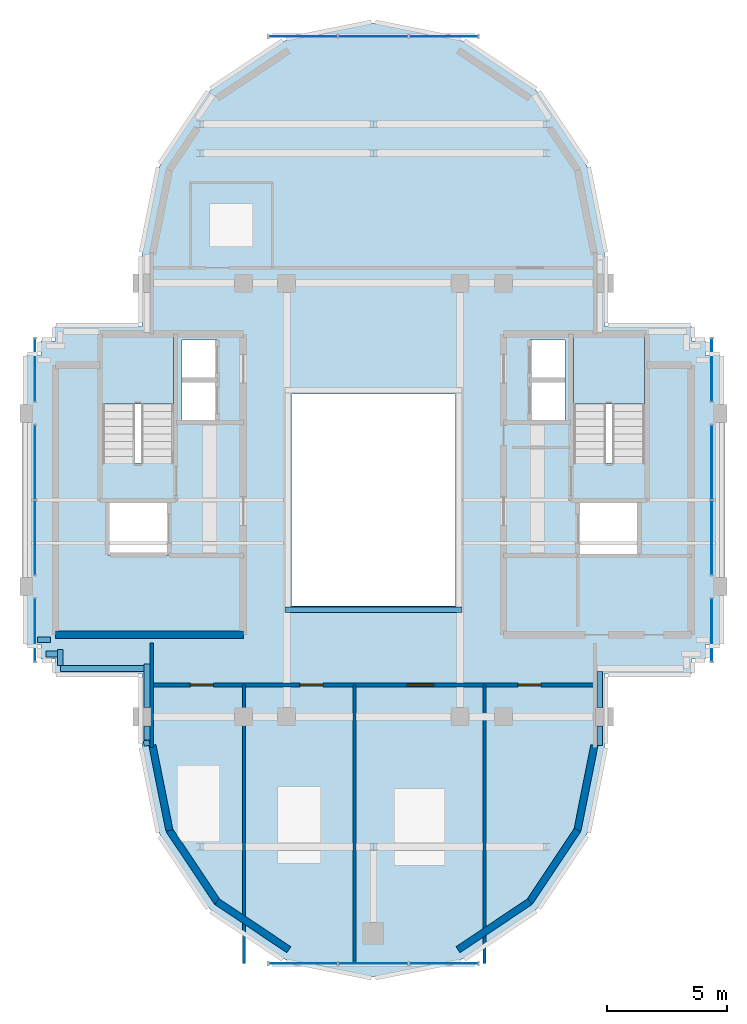
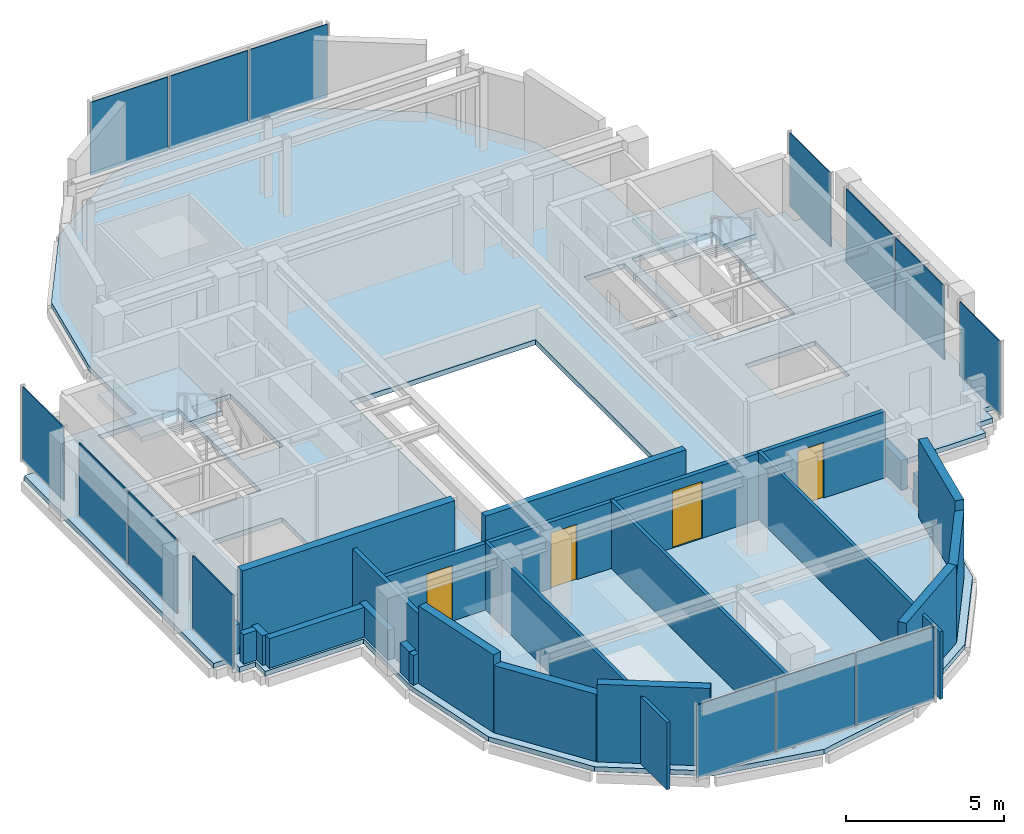
# One storey, part 6 of 10: 22 walls, 14 plates, 4 doors, 3 slabs, 4 openings, 10 elements without a shape of their own.
"""IFC4 building model written with IfcOpenShell, lengths in metres."""

from ifc_helpers import new_model, si_unit, direction, frame, frame_2d, origin, origin_2d, place, context, subcontext, project, spatial, polyline, rectangle, outline, extrude, source, transform, mapped, material, layer, layer_set, type_object, element, fill, aggregate, save


model = new_model("IFC4")

# Units and contexts
model_context = context("Model", 3, precision=1e-05, world=origin(), true_north=direction((0.0, 1.0)))
body_context = subcontext(model_context, "Body", "Model", "MODEL_VIEW")
ifc_project = project(units=[si_unit("LENGTHUNIT", "METRE"), si_unit("AREAUNIT", "SQUARE_METRE"), si_unit("VOLUMEUNIT", "CUBIC_METRE"), si_unit("PLANEANGLEUNIT", "RADIAN"), si_unit("MASSUNIT", "GRAM", prefix="KILO")], contexts=[model_context])

# Site, building, storey
site_placement = place(None, origin())
site = spatial("IfcSite", under=ifc_project, at=site_placement, CompositionType="ELEMENT")
building_placement = place(site_placement, origin())
building = spatial("IfcBuilding", under=site, at=building_placement, Name="Keilestroom Media Tower", CompositionType="ELEMENT")
storey_placement = place(building_placement, frame((0.0, 0.0, 262.0)))
storey = spatial("IfcBuildingStorey", under=building, at=storey_placement, Name="L73", CompositionType="ELEMENT", Elevation=262.0)

# Slab
ifc_material_1 = material(Name="Concrete C50/60", Category="concrete")
ifc_layer_1 = layer(ifc_material_1, 0.18994140625)
ifc_layer_set_1 = layer_set([ifc_layer_1], Name="Concrete C50/60")
slab_type_1 = type_object("IfcSlabType", Name="Composite-Floor-Slab-190", PredefinedType="FLOOR", material=ifc_layer_set_1)
slab_1_placement = place(storey_placement, frame((0.0, 0.0, -0.18994140625)))
element("IfcSlab", 1, at=slab_1_placement, inside=storey, type_object=slab_type_1, Name="L73 Structural Composite Floor Slab", PredefinedType="FLOOR", context=body_context, shape_type="SweptSolid", body=[
    extrude(outline(polyline([(14.39990234375, -6.0), (14.39990234375, 6.0), (13.800048828125, 6.0), (13.800048828125, 6.60009765625), (13.199951171875, 6.60009765625), (13.199951171875, 7.199951171875), (9.60009765625, 7.199951171875), (9.60009765625, 9.60009765625), (9.60009765625, 10.199951171875), (8.869140625, 13.873779296875), (6.7880859375, 16.98828125), (3.673828125, 19.069091796875), (0.0, 19.800048828125), (-3.673828125, 19.069091796875), (-6.7880859375, 16.98828125), (-8.869140625, 13.873779296875), (-9.60009765625, 10.199951171875), (-9.60009765625, 9.60009765625), (-9.60009765625, 7.199951171875), (-13.199951171875, 7.199951171875), (-13.199951171875, 6.60009765625), (-13.800048828125, 6.60009765625), (-13.800048828125, 6.0), (-14.39990234375, 6.0), (-14.39990234375, -6.0), (-13.800048828125, -6.0), (-13.800048828125, -6.60009765625), (-13.199951171875, -6.60009765625), (-13.199951171875, -7.199951171875), (-9.60009765625, -7.199951171875), (-9.60009765625, -9.60009765625), (-9.60009765625, -10.199951171875), (-8.869140625, -13.873779296875), (-6.7880859375, -16.98828125), (-3.673828125, -19.069091796875), (0.0, -19.800048828125), (3.673828125, -19.069091796875), (6.7880859375, -16.98828125), (8.869140625, -13.873779296875), (9.60009765625, -10.199951171875), (9.60009765625, -9.60009765625), (9.60009765625, -7.199951171875), (13.199951171875, -7.199951171875), (13.199951171875, -6.60009765625), (13.800048828125, -6.60009765625), (13.800048828125, -6.0), (14.39990234375, -6.0)]), holes=[polyline([(-8.300048828125, 1.544921875), (-11.260009765625, 1.544921875), (-11.260009765625, 6.760009765625), (-8.300048828125, 6.760009765625), (-8.300048828125, 1.544921875)]), polyline([(-8.47998046875, -2.280029296875), (-11.050048828125, -2.280029296875), (-11.050048828125, -0.10009765625), (-8.47998046875, -0.10009765625), (-8.47998046875, -2.280029296875)]), polyline([(-6.47998046875, 3.300048828125), (-7.949951171875, 3.300048828125), (-7.949951171875, 6.64990234375), (-6.47998046875, 6.64990234375), (-6.47998046875, 3.300048828125)]), polyline([(3.39990234375, -4.39990234375), (-3.39990234375, -4.39990234375), (-3.39990234375, 4.39990234375), (3.39990234375, 4.39990234375), (3.39990234375, -4.39990234375)]), polyline([(7.949951171875, 3.300048828125), (6.47998046875, 3.300048828125), (6.47998046875, 6.64990234375), (7.949951171875, 6.64990234375), (7.949951171875, 3.300048828125)]), polyline([(11.260009765625, 1.544921875), (8.300048828125, 1.544921875), (8.300048828125, 6.760009765625), (11.260009765625, 6.760009765625), (11.260009765625, 1.544921875)]), polyline([(11.050048828125, -2.280029296875), (8.47998046875, -2.280029296875), (8.47998046875, -0.10009765625), (11.050048828125, -0.10009765625), (11.050048828125, -2.280029296875)])]), origin(), (0.0, 0.0, 1.0), 0.18994140625),
])

# Stair, slab
ifc_material_2 = material(Name="Concrete C45/55", Category="concrete")
stair_type = type_object("IfcStairType", Name="Enclosed-Dog-Leg-Stair-ST-CORE", PredefinedType="HALF_TURN_STAIR", material=ifc_material_2)
stair_1_placement = place(storey_placement, origin())
stair_1 = element("IfcStair", 2, at=stair_1_placement, inside=storey, type_object=stair_type, Name="L73 West Core Escape Stair ST-1", PredefinedType="HALF_TURN_STAIR")
ifc_layer_2 = layer(ifc_material_2, 0.199951171875)
ifc_layer_set_2 = layer_set([ifc_layer_2], Name="Concrete C45/55")
slab_type_2 = type_object("IfcSlabType", Name="Stair-Intermediate-And-Top-Landing-Slab-200", PredefinedType="LANDING", material=ifc_layer_set_2)
slab_2_placement = place(storey_placement, frame((0.0, 0.0, 1.39990234375)))
slab_2 = element("IfcSlab", 3, at=slab_2_placement, type_object=slab_type_2, Name="ST-1 landing 1", PredefinedType="LANDING", context=body_context, shape_type="SweptSolid", body=[
    extrude(outline(polyline([(-8.300048828125, 3.99609375), (-8.300048828125, 6.760009765625), (-11.260009765625, 6.760009765625), (-11.260009765625, 3.99609375), (-8.300048828125, 3.99609375)])), origin(), (0.0, 0.0, 1.0), 0.2001953125),
])
aggregate(stair_1, [slab_2])

stair_2_placement = place(storey_placement, origin())
stair_2 = element("IfcStair", 4, at=stair_2_placement, inside=storey, type_object=stair_type, Name="L73 East Core Escape Stair ST-2", PredefinedType="HALF_TURN_STAIR")
slab_3_placement = place(storey_placement, frame((0.0, 0.0, 1.39990234375)))
slab_3 = element("IfcSlab", 5, at=slab_3_placement, type_object=slab_type_2, Name="ST-2 landing 1", PredefinedType="LANDING", context=body_context, shape_type="SweptSolid", body=[
    extrude(outline(polyline([(11.260009765625, 3.99609375), (11.260009765625, 6.760009765625), (8.300048828125, 6.760009765625), (8.300048828125, 3.99609375), (11.260009765625, 3.99609375)])), origin(), (0.0, 0.0, 1.0), 0.2001953125),
])
aggregate(stair_2, [slab_3])

# Curtain wall, plates
ifc_material_3 = material(Name="Anodised Aluminium Alloy", Category="aluminium")
curtain_wall_type_1 = type_object("IfcCurtainWallType", Name="Unitised-Curtain-Wall-CW-6", PredefinedType="NOTDEFINED", material=ifc_material_3)
curtain_wall_1_placement = place(storey_placement, origin())
curtain_wall_1 = element("IfcCurtainWall", 6, at=curtain_wall_1_placement, inside=storey, type_object=curtain_wall_type_1, Name="L73 Curtain Wall CW-6 CW-L73-LN-1", PredefinedType="NOTDEFINED")
ifc_material_4 = material(Name="Curved-Facet Triple Glazed Unit", Category="glass")
ifc_layer_3 = layer(ifc_material_4, 0.033935546875)
ifc_layer_set_3 = layer_set([ifc_layer_3], Name="Curved-Facet Triple Glazed Unit")
plate_type_1 = type_object("IfcPlateType", Name="Insulated-Curtain-Wall-Glazing-Panel-CW-6", PredefinedType="CURTAIN_PANEL", material=ifc_layer_set_3)
shared_shape_1 = source(origin(), body_context, "Body", "SweptSolid", [
    extrude(rectangle(XDim=2.84375, YDim=0.033935546875, at=origin_2d()), origin(), (0.0, 0.0, 1.0), 2.833984375),
])
plate_1_placement = place(storey_placement, frame((-2.9169921875, 19.25, 0.072998046875), z_axis=(0.0, 0.0, 1.0), x_axis=(1.0, 0.0, 0.0)))
plate_1 = element("IfcPlate", 7, at=plate_1_placement, type_object=plate_type_1, Name="CW-6 Unitised Glazing 00", PredefinedType="CURTAIN_PANEL", context=body_context, shape_type="MappedRepresentation", body=[
    mapped(shared_shape_1, transform((0.0, 0.0, 0.0), x_axis=(1.0, 0.0, 0.0), y_axis=(0.0, 1.0, 0.0), z_axis=(0.0, 0.0, 1.0), scale=1.0)),
])
plate_2_placement = place(storey_placement, frame((2.9169921875, 19.25, 0.072998046875), z_axis=(0.0, 0.0, 1.0), x_axis=(1.0, 0.0, 0.0)))
plate_2 = element("IfcPlate", 8, at=plate_2_placement, type_object=plate_type_1, Name="CW-6 Unitised Glazing 02", PredefinedType="CURTAIN_PANEL", context=body_context, shape_type="MappedRepresentation", body=[
    mapped(shared_shape_1, transform((0.0, 0.0, 0.0), x_axis=(1.0, 0.0, 0.0), y_axis=(0.0, 1.0, 0.0), z_axis=(0.0, 0.0, 1.0), scale=1.0)),
])

curtain_wall_2_placement = place(storey_placement, origin())
curtain_wall_2 = element("IfcCurtainWall", 9, at=curtain_wall_2_placement, inside=storey, type_object=curtain_wall_type_1, Name="L73 Curtain Wall CW-6 CW-L73-LS-1", PredefinedType="NOTDEFINED")
plate_3_placement = place(storey_placement, frame((-2.9169921875, -19.25, 0.072998046875), z_axis=(0.0, 0.0, 1.0), x_axis=(1.0, 0.0, 0.0)))
plate_3 = element("IfcPlate", 10, at=plate_3_placement, type_object=plate_type_1, Name="CW-6 Unitised Glazing 00", PredefinedType="CURTAIN_PANEL", context=body_context, shape_type="MappedRepresentation", body=[
    mapped(shared_shape_1, transform((0.0, 0.0, 0.0), x_axis=(1.0, 0.0, 0.0), y_axis=(0.0, 1.0, 0.0), z_axis=(0.0, 0.0, 1.0), scale=1.0)),
])
plate_4_placement = place(storey_placement, frame((2.9169921875, -19.25, 0.072998046875), z_axis=(0.0, 0.0, 1.0), x_axis=(1.0, 0.0, 0.0)))
plate_4 = element("IfcPlate", 11, at=plate_4_placement, type_object=plate_type_1, Name="CW-6 Unitised Glazing 02", PredefinedType="CURTAIN_PANEL", context=body_context, shape_type="MappedRepresentation", body=[
    mapped(shared_shape_1, transform((0.0, 0.0, 0.0), x_axis=(1.0, 0.0, 0.0), y_axis=(0.0, 1.0, 0.0), z_axis=(0.0, 0.0, 1.0), scale=1.0)),
])

# Plate
shared_shape_2 = source(origin(), body_context, "Body", "SweptSolid", [
    extrude(rectangle(XDim=2.876220703125, YDim=0.033935546875, at=origin_2d()), origin(), (0.0, 0.0, 1.0), 2.833984375),
])
plate_5_placement = place(storey_placement, frame((0.0, 19.25, 0.072998046875), z_axis=(0.0, 0.0, 1.0), x_axis=(1.0, 0.0, 0.0)))
plate_5 = element("IfcPlate", 12, at=plate_5_placement, type_object=plate_type_1, Name="CW-6 Unitised Glazing 01", PredefinedType="CURTAIN_PANEL", context=body_context, shape_type="MappedRepresentation", body=[
    mapped(shared_shape_2, transform((0.0, 0.0, 0.0), x_axis=(1.0, 0.0, 0.0), y_axis=(0.0, 1.0, 0.0), z_axis=(0.0, 0.0, 1.0), scale=1.0)),
])

aggregate(curtain_wall_1, [plate_1, plate_5, plate_2])

plate_6_placement = place(storey_placement, frame((0.0, -19.25, 0.072998046875), z_axis=(0.0, 0.0, 1.0), x_axis=(1.0, 0.0, 0.0)))
plate_6 = element("IfcPlate", 13, at=plate_6_placement, type_object=plate_type_1, Name="CW-6 Unitised Glazing 01", PredefinedType="CURTAIN_PANEL", context=body_context, shape_type="MappedRepresentation", body=[
    mapped(shared_shape_2, transform((0.0, 0.0, 0.0), x_axis=(1.0, 0.0, 0.0), y_axis=(0.0, 1.0, 0.0), z_axis=(0.0, 0.0, 1.0), scale=1.0)),
])

aggregate(curtain_wall_2, [plate_3, plate_6, plate_4])

# Curtain wall, plates
curtain_wall_type_2 = type_object("IfcCurtainWallType", Name="Unitised-Curtain-Wall-CW-4", PredefinedType="NOTDEFINED", material=ifc_material_3)
curtain_wall_3_placement = place(storey_placement, origin())
curtain_wall_3 = element("IfcCurtainWall", 14, at=curtain_wall_3_placement, inside=storey, type_object=curtain_wall_type_2, Name="L73 Curtain Wall CW-4 CW-L73-W-2", PredefinedType="NOTDEFINED")
ifc_material_5 = material(Name="Triple Glazed Solar-Control Unit", Category="glass")
ifc_layer_4 = layer(ifc_material_5, 0.035888671875)
ifc_layer_set_4 = layer_set([ifc_layer_4], Name="Triple Glazed Solar-Control Unit")
plate_type_2 = type_object("IfcPlateType", Name="Insulated-Curtain-Wall-Glazing-Panel-CW-4", PredefinedType="CURTAIN_PANEL", material=ifc_layer_set_4)
shared_shape_3 = source(origin(), body_context, "Body", "SweptSolid", [
    extrude(rectangle(XDim=3.0830078125, YDim=0.035888671875, at=origin_2d()), origin(), (0.0, 0.0, 1.0), 2.85400390625),
])
plate_7_placement = place(storey_placement, frame((-14.050048828125, -1.5673828125, 0.06298828125), z_axis=(0.0, 0.0, 1.0), x_axis=(0.0, 1.0, 0.0)))
plate_7 = element("IfcPlate", 15, at=plate_7_placement, type_object=plate_type_2, Name="CW-4 Unitised Glazing 00", PredefinedType="CURTAIN_PANEL", context=body_context, shape_type="MappedRepresentation", body=[
    mapped(shared_shape_3, transform((0.0, 0.0, 0.0), x_axis=(1.0, 0.0, 0.0), y_axis=(0.0, 1.0, 0.0), z_axis=(0.0, 0.0, 1.0), scale=1.0)),
])
plate_8_placement = place(storey_placement, frame((-14.050048828125, 1.5673828125, 0.06298828125), z_axis=(0.0, 0.0, 1.0), x_axis=(0.0, 1.0, 0.0)))
plate_8 = element("IfcPlate", 16, at=plate_8_placement, type_object=plate_type_2, Name="CW-4 Unitised Glazing 01", PredefinedType="CURTAIN_PANEL", context=body_context, shape_type="MappedRepresentation", body=[
    mapped(shared_shape_3, transform((0.0, 0.0, 0.0), x_axis=(1.0, 0.0, 0.0), y_axis=(0.0, 1.0, 0.0), z_axis=(0.0, 0.0, 1.0), scale=1.0)),
])
aggregate(curtain_wall_3, [plate_7, plate_8])

curtain_wall_4_placement = place(storey_placement, origin())
curtain_wall_4 = element("IfcCurtainWall", 17, at=curtain_wall_4_placement, inside=storey, type_object=curtain_wall_type_2, Name="L73 Curtain Wall CW-4 CW-L73-E-2", PredefinedType="NOTDEFINED")
plate_9_placement = place(storey_placement, frame((14.050048828125, -1.5673828125, 0.06298828125), z_axis=(0.0, 0.0, 1.0), x_axis=(0.0, 1.0, 0.0)))
plate_9 = element("IfcPlate", 18, at=plate_9_placement, type_object=plate_type_2, Name="CW-4 Unitised Glazing 00", PredefinedType="CURTAIN_PANEL", context=body_context, shape_type="MappedRepresentation", body=[
    mapped(shared_shape_3, transform((0.0, 0.0, 0.0), x_axis=(1.0, 0.0, 0.0), y_axis=(0.0, 1.0, 0.0), z_axis=(0.0, 0.0, 1.0), scale=1.0)),
])
plate_10_placement = place(storey_placement, frame((14.050048828125, 1.5673828125, 0.06298828125), z_axis=(0.0, 0.0, 1.0), x_axis=(0.0, 1.0, 0.0)))
plate_10 = element("IfcPlate", 19, at=plate_10_placement, type_object=plate_type_2, Name="CW-4 Unitised Glazing 01", PredefinedType="CURTAIN_PANEL", context=body_context, shape_type="MappedRepresentation", body=[
    mapped(shared_shape_3, transform((0.0, 0.0, 0.0), x_axis=(1.0, 0.0, 0.0), y_axis=(0.0, 1.0, 0.0), z_axis=(0.0, 0.0, 1.0), scale=1.0)),
])
aggregate(curtain_wall_4, [plate_9, plate_10])

# Curtain wall, plate
curtain_wall_5_placement = place(storey_placement, origin())
curtain_wall_5 = element("IfcCurtainWall", 20, at=curtain_wall_5_placement, inside=storey, type_object=curtain_wall_type_2, Name="L73 Curtain Wall CW-4 CW-L73-W-1", PredefinedType="NOTDEFINED")
shared_shape_4 = source(origin(), body_context, "Body", "SweptSolid", [
    extrude(rectangle(XDim=2.60302734375, YDim=0.035888671875, at=origin_2d()), origin(), (0.0, 0.0, 1.0), 2.85400390625),
])
plate_11_placement = place(storey_placement, frame((-14.050048828125, -5.392578125, 0.06298828125), z_axis=(0.0, 0.0, 1.0), x_axis=(0.0, 1.0, 0.0)))
plate_11 = element("IfcPlate", 21, at=plate_11_placement, type_object=plate_type_2, Name="CW-4 Unitised Glazing 00", PredefinedType="CURTAIN_PANEL", context=body_context, shape_type="MappedRepresentation", body=[
    mapped(shared_shape_4, transform((0.0, 0.0, 0.0), x_axis=(1.0, 0.0, 0.0), y_axis=(0.0, 1.0, 0.0), z_axis=(0.0, 0.0, 1.0), scale=1.0)),
])
aggregate(curtain_wall_5, [plate_11])

curtain_wall_6_placement = place(storey_placement, origin())
curtain_wall_6 = element("IfcCurtainWall", 22, at=curtain_wall_6_placement, inside=storey, type_object=curtain_wall_type_2, Name="L73 Curtain Wall CW-4 CW-L73-W-3", PredefinedType="NOTDEFINED")
plate_12_placement = place(storey_placement, frame((-14.050048828125, 5.392578125, 0.06298828125), z_axis=(0.0, 0.0, 1.0), x_axis=(0.0, 1.0, 0.0)))
plate_12 = element("IfcPlate", 23, at=plate_12_placement, type_object=plate_type_2, Name="CW-4 Unitised Glazing 00", PredefinedType="CURTAIN_PANEL", context=body_context, shape_type="MappedRepresentation", body=[
    mapped(shared_shape_4, transform((0.0, 0.0, 0.0), x_axis=(1.0, 0.0, 0.0), y_axis=(0.0, 1.0, 0.0), z_axis=(0.0, 0.0, 1.0), scale=1.0)),
])
aggregate(curtain_wall_6, [plate_12])

curtain_wall_7_placement = place(storey_placement, origin())
curtain_wall_7 = element("IfcCurtainWall", 24, at=curtain_wall_7_placement, inside=storey, type_object=curtain_wall_type_2, Name="L73 Curtain Wall CW-4 CW-L73-E-1", PredefinedType="NOTDEFINED")
plate_13_placement = place(storey_placement, frame((14.050048828125, -5.392578125, 0.06298828125), z_axis=(0.0, 0.0, 1.0), x_axis=(0.0, 1.0, 0.0)))
plate_13 = element("IfcPlate", 25, at=plate_13_placement, type_object=plate_type_2, Name="CW-4 Unitised Glazing 00", PredefinedType="CURTAIN_PANEL", context=body_context, shape_type="MappedRepresentation", body=[
    mapped(shared_shape_4, transform((0.0, 0.0, 0.0), x_axis=(1.0, 0.0, 0.0), y_axis=(0.0, 1.0, 0.0), z_axis=(0.0, 0.0, 1.0), scale=1.0)),
])
aggregate(curtain_wall_7, [plate_13])

curtain_wall_8_placement = place(storey_placement, origin())
curtain_wall_8 = element("IfcCurtainWall", 26, at=curtain_wall_8_placement, inside=storey, type_object=curtain_wall_type_2, Name="L73 Curtain Wall CW-4 CW-L73-E-3", PredefinedType="NOTDEFINED")
plate_14_placement = place(storey_placement, frame((14.050048828125, 5.392578125, 0.06298828125), z_axis=(0.0, 0.0, 1.0), x_axis=(0.0, 1.0, 0.0)))
plate_14 = element("IfcPlate", 27, at=plate_14_placement, type_object=plate_type_2, Name="CW-4 Unitised Glazing 00", PredefinedType="CURTAIN_PANEL", context=body_context, shape_type="MappedRepresentation", body=[
    mapped(shared_shape_4, transform((0.0, 0.0, 0.0), x_axis=(1.0, 0.0, 0.0), y_axis=(0.0, 1.0, 0.0), z_axis=(0.0, 0.0, 1.0), scale=1.0)),
])
aggregate(curtain_wall_8, [plate_14])

# Walls
ifc_material_6 = material(Name="Precast concrete C40/50", Category="concrete")
ifc_layer_5 = layer(ifc_material_6, 0.300048828125)
ifc_layer_set_5 = layer_set([ifc_layer_5], Name="Precast concrete C40/50")
wall_type_1 = type_object("IfcWallType", Name="Exterior-Masonry-Spandrel-Wall-300", PredefinedType="SOLIDWALL", material=ifc_layer_set_5)
wall_1_placement = place(storey_placement, frame((-9.1748046875, -10.185302734375, 0.0), z_axis=(0.0, 0.0, 1.0), x_axis=(0.195114232679, -0.980780523974, 0.0)))
element("IfcWall", 28, at=wall_1_placement, inside=storey, type_object=wall_type_1, Name="L73 Lobe Facet Precast Frame Wall 07", PredefinedType="SOLIDWALL", context=body_context, shape_type="SweptSolid", body=[
    extrude(rectangle(XDim=3.608642578125, YDim=0.300048828125, at=frame_2d((1.80419921875, 0.0))), origin(), (0.0, 0.0, 1.0), 3.010009765625),
])
wall_2_placement = place(storey_placement, frame((-8.48193359375, -13.697509765625, 0.0), z_axis=(0.0, 0.0, 1.0), x_axis=(0.555574187116, -0.831466970246, 0.0)))
element("IfcWall", 29, at=wall_2_placement, inside=storey, type_object=wall_type_1, Name="L73 Lobe Facet Precast Frame Wall 08", PredefinedType="SOLIDWALL", context=body_context, shape_type="SweptSolid", body=[
    extrude(rectangle(XDim=3.608642578125, YDim=0.300048828125, at=frame_2d((1.80419921875, 0.0))), origin(), (0.0, 0.0, 1.0), 2.610107421875),
])
for number, where, z_axis, x_axis, name in (
    (30, (-6.497802734375, -16.677001953125, 0.0), (0.0, 0.0, 1.0), (0.831443568068, -0.555609208993, 0.0), "L73 Lobe Facet Precast Frame Wall 09"),
    (31, (3.510009765625, -18.673583984375, 0.0), (0.0, 0.0, 1.0), (0.831443568068, 0.555609208993, 0.0), "L73 Lobe Facet Precast Frame Wall 10"),
):
    element("IfcWall", number, at=place(storey_placement, frame(where, z_axis=z_axis, x_axis=x_axis)), inside=storey, type_object=wall_type_1, Name=name, PredefinedType="SOLIDWALL", context=body_context, shape_type="SweptSolid", body=[
        extrude(rectangle(XDim=3.593505859375, YDim=0.300048828125, at=frame_2d((1.796875, 0.0))), origin(), (0.0, 0.0, 1.0), 3.010009765625),
    ])
wall_3_placement = place(storey_placement, frame((6.47705078125, -16.697998046875, 0.0), z_axis=(0.0, 0.0, 1.0), x_axis=(0.555574187116, 0.831466970246, 0.0)))
element("IfcWall", 32, at=wall_3_placement, inside=storey, type_object=wall_type_1, Name="L73 Lobe Facet Precast Frame Wall 11", PredefinedType="SOLIDWALL", context=body_context, shape_type="SweptSolid", body=[
    extrude(rectangle(XDim=3.608642578125, YDim=0.300048828125, at=frame_2d((1.80419921875, 0.0))), origin(), (0.0, 0.0, 1.0), 2.610107421875),
])
wall_4_placement = place(storey_placement, frame((8.470703125, -13.724609375, 0.0), z_axis=(0.0, 0.0, 1.0), x_axis=(0.195114232679, 0.980780523974, 0.0)))
element("IfcWall", 33, at=wall_4_placement, inside=storey, type_object=wall_type_1, Name="L73 Lobe Facet Precast Frame Wall 12", PredefinedType="SOLIDWALL", context=body_context, shape_type="SweptSolid", body=[
    extrude(rectangle(XDim=3.608642578125, YDim=0.300048828125, at=frame_2d((1.80419921875, 0.0))), origin(), (0.0, 0.0, 1.0), 3.010009765625),
])
ifc_material_7 = material(Name="Gypsum Plasterboard & Steel Stud", Category="steel")
ifc_layer_6 = layer(ifc_material_7, 0.1201171875)
ifc_layer_set_6 = layer_set([ifc_layer_6], Name="Gypsum Plasterboard & Steel Stud")
wall_type_2 = type_object("IfcWallType", Name="Interior-Partition-Wall-120", PredefinedType="PARTITIONING", material=ifc_layer_set_6)
for number, where, z_axis, x_axis, name in (
    (34, (-5.3798828125, -19.25, 0.0), (0.0, 0.0, 1.0), (0.0, 1.0, 0.0), "L73 Interior Wall WP-L73-SL-QV1"),
    (35, (-0.780029296875, -19.25, 0.0), (0.0, 0.0, 1.0), (0.0, 1.0, 0.0), "L73 Interior Wall WP-L73-SL-QV2"),
    (36, (4.6201171875, -19.25, 0.0), (0.0, 0.0, 1.0), (0.0, 1.0, 0.0), "L73 Interior Wall WP-L73-SL-QV3"),
):
    element("IfcWall", number, at=place(storey_placement, frame(where, z_axis=z_axis, x_axis=x_axis)), inside=storey, type_object=wall_type_2, Name=name, PredefinedType="PARTITIONING", context=body_context, shape_type="SweptSolid", body=[
        extrude(rectangle(XDim=11.570068359375, YDim=0.1201171875, at=frame_2d((5.78515625, 0.0))), origin(), (0.0, 0.0, 1.0), 2.610107421875),
    ])

# Wall, openings, doors
ifc_layer_7 = layer(ifc_material_7, 0.14990234375)
ifc_layer_set_7 = layer_set([ifc_layer_7], Name="Gypsum Plasterboard & Steel Stud")
wall_type_3 = type_object("IfcWallType", Name="Interior-Partition-Wall-150", PredefinedType="PARTITIONING", material=ifc_layer_set_7)
wall_5_placement = place(storey_placement, frame((-9.199951171875, -7.679931640625, 0.0), z_axis=(0.0, 0.0, 1.0), x_axis=(1.0, 0.0, 0.0)))
wall_5 = element("IfcWall", 37, at=wall_5_placement, inside=storey, type_object=wall_type_3, Name="L73 Interior Wall WP-L73-SL-BASE", PredefinedType="PARTITIONING", context=body_context, shape_type="SweptSolid", body=[
    extrude(rectangle(XDim=18.39990234375, YDim=0.14990234375, at=frame_2d((9.199951171875, 0.0))), origin(), (0.0, 0.0, 1.0), 2.570068359375),
])
opening_1_placement = place(wall_5_placement, frame((1.60009765625, 0.0, 0.0)))
opening_1 = element("IfcOpeningElement", 38, at=opening_1_placement, cuts=wall_5, Name="Opening DI-03", PredefinedType="OPENING", context=body_context, shape_type="SweptSolid", body=[
    extrude(rectangle(XDim=0.949951171875, YDim=2.14990234375, at=frame_2d((0.47509765625, 1.074951171875))), frame((0.0, 0.0849609375, 0.0), z_axis=(0.0, -1.0, 0.0), x_axis=(1.0, 0.0, 0.0)), (0.0, 0.0, 1.0), 0.169921875),
])
opening_2_placement = place(wall_5_placement, frame((6.14990234375, 0.0, 0.0)))
opening_2 = element("IfcOpeningElement", 39, at=opening_2_placement, cuts=wall_5, Name="Opening DI-03", PredefinedType="OPENING", context=body_context, shape_type="SweptSolid", body=[
    extrude(rectangle(XDim=0.949951171875, YDim=2.14990234375, at=frame_2d((0.47509765625, 1.074951171875))), frame((0.0, 0.0849609375, 0.0), z_axis=(0.0, -1.0, 0.0), x_axis=(1.0, 0.0, 0.0)), (0.0, 0.0, 1.0), 0.169921875),
])
opening_3_placement = place(wall_5_placement, frame((10.60009765625, 0.0, 0.0)))
opening_3 = element("IfcOpeningElement", 40, at=opening_3_placement, cuts=wall_5, Name="Opening DI-04", PredefinedType="OPENING", context=body_context, shape_type="SweptSolid", body=[
    extrude(rectangle(XDim=1.10009765625, YDim=2.199951171875, at=frame_2d((0.550048828125, 1.10009765625))), frame((0.0, 0.0849609375, 0.0), z_axis=(0.0, -1.0, 0.0), x_axis=(1.0, 0.0, 0.0)), (0.0, 0.0, 1.0), 0.169921875),
])
opening_4_placement = place(wall_5_placement, frame((15.199951171875, 0.0, 0.0)))
opening_4 = element("IfcOpeningElement", 41, at=opening_4_placement, cuts=wall_5, Name="Opening DI-03", PredefinedType="OPENING", context=body_context, shape_type="SweptSolid", body=[
    extrude(rectangle(XDim=0.949951171875, YDim=2.14990234375, at=frame_2d((0.47509765625, 1.074951171875))), frame((0.0, 0.0849609375, 0.0), z_axis=(0.0, -1.0, 0.0), x_axis=(1.0, 0.0, 0.0)), (0.0, 0.0, 1.0), 0.169921875),
])
ifc_material_8 = material(Name="Lacquered European Oak Leaf", Category="wood")
door_type_1 = type_object("IfcDoorType", Name="Interior-Room-And-Suite-Door-DI-03", OperationType="NOTDEFINED", PredefinedType="DOOR", material=ifc_material_8)
shared_shape_5 = source(origin(), body_context, "Body", "SweptSolid", [
    extrude(rectangle(XDim=0.949951171875, YDim=2.14990234375, at=frame_2d((0.47509765625, 1.074951171875))), frame((0.0, 0.02490234375, 0.0), z_axis=(0.0, -1.0, 0.0), x_axis=(1.0, 0.0, 0.0)), (0.0, 0.0, 1.0), 0.050048828125),
])
door_1_placement = place(opening_1_placement, origin())
door_1 = element("IfcDoor", 42, at=door_1_placement, inside=storey, type_object=door_type_1, Name="L73 Interior Door DI-L73-DSL-Q1", OperationType="SINGLE_SWING_LEFT", OverallHeight=2.14990234375, OverallWidth=0.949951171875, PredefinedType="DOOR", context=body_context, shape_type="MappedRepresentation", body=[
    mapped(shared_shape_5, transform((0.0, 0.0, 0.0), x_axis=(1.0, 0.0, 0.0), y_axis=(0.0, 1.0, 0.0), z_axis=(0.0, 0.0, 1.0), scale=1.0)),
])
fill(opening_1, door_1)
door_2_placement = place(opening_2_placement, origin())
door_2 = element("IfcDoor", 43, at=door_2_placement, inside=storey, type_object=door_type_1, Name="L73 Interior Door DI-L73-DSL-Q2", OperationType="SINGLE_SWING_RIGHT", OverallHeight=2.14990234375, OverallWidth=0.949951171875, PredefinedType="DOOR", context=body_context, shape_type="MappedRepresentation", body=[
    mapped(shared_shape_5, transform((0.0, 0.0, 0.0), x_axis=(1.0, 0.0, 0.0), y_axis=(0.0, 1.0, 0.0), z_axis=(0.0, 0.0, 1.0), scale=1.0)),
])
fill(opening_2, door_2)
door_3_placement = place(opening_4_placement, origin())
door_3 = element("IfcDoor", 44, at=door_3_placement, inside=storey, type_object=door_type_1, Name="L73 Interior Door DI-L73-DSL-Q4", OperationType="SINGLE_SWING_RIGHT", OverallHeight=2.14990234375, OverallWidth=0.949951171875, PredefinedType="DOOR", context=body_context, shape_type="MappedRepresentation", body=[
    mapped(shared_shape_5, transform((0.0, 0.0, 0.0), x_axis=(1.0, 0.0, 0.0), y_axis=(0.0, 1.0, 0.0), z_axis=(0.0, 0.0, 1.0), scale=1.0)),
])
fill(opening_4, door_3)
ifc_material_9 = material(Name="Acoustic Glazed Aluminium Leaf", Category="aluminium")
door_type_2 = type_object("IfcDoorType", Name="Interior-Room-And-Suite-Door-DI-04", OperationType="NOTDEFINED", PredefinedType="DOOR", material=ifc_material_9)
shared_shape_6 = source(origin(), body_context, "Body", "SweptSolid", [
    extrude(rectangle(XDim=1.10009765625, YDim=2.199951171875, at=frame_2d((0.550048828125, 1.10009765625))), frame((0.0, 0.02490234375, 0.0), z_axis=(0.0, -1.0, 0.0), x_axis=(1.0, 0.0, 0.0)), (0.0, 0.0, 1.0), 0.050048828125),
])
door_4_placement = place(opening_3_placement, origin())
door_4 = element("IfcDoor", 45, at=door_4_placement, inside=storey, type_object=door_type_2, Name="L73 Interior Door DI-L73-DSL-Q3", OperationType="SINGLE_SWING_LEFT", OverallHeight=2.199951171875, OverallWidth=1.10009765625, PredefinedType="DOOR", context=body_context, shape_type="MappedRepresentation", body=[
    mapped(shared_shape_6, transform((0.0, 0.0, 0.0), x_axis=(1.0, 0.0, 0.0), y_axis=(0.0, 1.0, 0.0), z_axis=(0.0, 0.0, 1.0), scale=1.0)),
])
fill(opening_3, door_4)

# Walls
wall_6_placement = place(storey_placement, frame((-9.199951171875, -10.280029296875, 0.0), z_axis=(0.0, 0.0, 1.0), x_axis=(0.0, 1.0, 0.0)))
element("IfcWall", 46, at=wall_6_placement, inside=storey, type_object=wall_type_3, Name="L73 Interior Wall WP-L73-SL-CHKW", PredefinedType="PARTITIONING", context=body_context, shape_type="SweptSolid", body=[
    extrude(rectangle(XDim=4.340087890625, YDim=0.14990234375, at=frame_2d((2.169921875, 0.0))), origin(), (0.0, 0.0, 1.0), 2.610107421875),
])
ifc_layer_8 = layer(ifc_material_1, 0.300048828125)
ifc_layer_set_8 = layer_set([ifc_layer_8], Name="Concrete C50/60")
wall_type_4 = type_object("IfcWallType", Name="Reinforced-Concrete-Core-Shear-Wall-300", PredefinedType="SHEAR", material=ifc_layer_set_8)
wall_7_placement = place(storey_placement, frame((-13.199951171875, -5.60009765625, 0.0), z_axis=(0.0, 0.0, 1.0), x_axis=(1.0, 0.0, 0.0)))
element("IfcWall", 47, at=wall_7_placement, inside=storey, type_object=wall_type_4, Name="L73 Core Shear Wall WL-L73-CORE-W-S", PredefinedType="SHEAR", context=body_context, shape_type="SweptSolid", body=[
    extrude(rectangle(XDim=7.800048828125, YDim=0.300048828125, at=frame_2d((3.89990234375, 0.0))), origin(), (0.0, 0.0, 1.0), 3.010009765625),
])
ifc_layer_9 = layer(ifc_material_6, 0.239990234375)
ifc_layer_set_9 = layer_set([ifc_layer_9], Name="Precast concrete C40/50")
wall_type_5 = type_object("IfcWallType", Name="Roof-And-Terrace-Parapet-Wall-240", PredefinedType="PARAPET", material=ifc_layer_set_9)
wall_8_placement = place(storey_placement, frame((9.39990234375, -7.123046875, 0.0), z_axis=(0.0, 0.0, 1.0), x_axis=(0.0, -1.0, 0.0)))
element("IfcWall", 48, at=wall_8_placement, inside=storey, type_object=wall_type_5, Name="L73 Perimeter Edge Parapet Wall 05", PredefinedType="PARAPET", context=body_context, shape_type="SweptSolid", body=[
    extrude(rectangle(XDim=1.4990234375, YDim=0.239990234375, at=frame_2d((0.74951171875, 0.0))), origin(), (0.0, 0.0, 1.0), 1.14990234375),
])
wall_9_placement = place(storey_placement, frame((9.39990234375, -9.3779296875, 0.0), z_axis=(0.0, 0.0, 1.0), x_axis=(0.0, -1.0, 0.0)))
element("IfcWall", 49, at=wall_9_placement, inside=storey, type_object=wall_type_5, Name="L73 Perimeter Edge Parapet Wall 06", PredefinedType="PARAPET", context=body_context, shape_type="SweptSolid", body=[
    extrude(rectangle(XDim=0.824951171875, YDim=0.239990234375, at=frame_2d((0.41259765625, 0.0))), origin(), (0.0, 0.0, 1.0), 1.14990234375),
])
wall_10_placement = place(storey_placement, frame((-9.395263671875, -10.2041015625, 0.0), z_axis=(0.0, 0.0, 1.0), x_axis=(-0.194859894132, 0.980831087221, 0.0)))
element("IfcWall", 50, at=wall_10_placement, inside=storey, type_object=wall_type_5, Name="L73 Perimeter Edge Parapet Wall 07", PredefinedType="PARAPET", context=body_context, shape_type="SweptSolid", body=[
    extrude(rectangle(XDim=0.224365234375, YDim=0.239990234375, at=frame_2d((0.1123046875, 0.0))), origin(), (0.0, 0.0, 1.0), 1.14990234375),
])
wall_11_placement = place(storey_placement, frame((-9.39990234375, -9.957763671875, 0.0), z_axis=(0.0, 0.0, 1.0), x_axis=(0.0, 1.0, 0.0)))
element("IfcWall", 51, at=wall_11_placement, inside=storey, type_object=wall_type_5, Name="L73 Perimeter Edge Parapet Wall 08", PredefinedType="PARAPET", context=body_context, shape_type="SweptSolid", body=[
    extrude(rectangle(XDim=0.579833984375, YDim=0.239990234375, at=frame_2d((0.2900390625, 0.0))), origin(), (0.0, 0.0, 1.0), 1.14990234375),
])
wall_12_placement = place(storey_placement, frame((-9.39990234375, -8.6220703125, 0.0), z_axis=(0.0, 0.0, 1.0), x_axis=(0.0, 1.0, 0.0)))
element("IfcWall", 52, at=wall_12_placement, inside=storey, type_object=wall_type_5, Name="L73 Perimeter Edge Parapet Wall 09", PredefinedType="PARAPET", context=body_context, shape_type="SweptSolid", body=[
    extrude(rectangle(XDim=1.822021484375, YDim=0.239990234375, at=frame_2d((0.9111328125, 0.0))), origin(), (0.0, 0.0, 1.0), 1.14990234375),
])
wall_13_placement = place(storey_placement, frame((-9.52294921875, -7.0, 0.0), z_axis=(0.0, 0.0, 1.0), x_axis=(-1.0, 0.0, 0.0)))
element("IfcWall", 53, at=wall_13_placement, inside=storey, type_object=wall_type_5, Name="L73 Perimeter Edge Parapet Wall 10", PredefinedType="PARAPET", context=body_context, shape_type="SweptSolid", body=[
    extrude(rectangle(XDim=3.47705078125, YDim=0.239990234375, at=frame_2d((1.738525390625, 0.0))), origin(), (0.0, 0.0, 1.0), 1.14990234375),
])
wall_14_placement = place(storey_placement, frame((-13.0, -6.876953125, 0.0), z_axis=(0.0, 0.0, 1.0), x_axis=(0.0, 1.0, 0.0)))
element("IfcWall", 54, at=wall_14_placement, inside=storey, type_object=wall_type_5, Name="L73 Perimeter Edge Parapet Wall 11", PredefinedType="PARAPET", context=body_context, shape_type="SweptSolid", body=[
    extrude(rectangle(XDim=0.677001953125, YDim=0.239990234375, at=frame_2d((0.33837890625, 0.0))), origin(), (0.0, 0.0, 1.0), 1.14990234375),
])
wall_15_placement = place(storey_placement, frame((-13.123046875, -6.39990234375, 0.0), z_axis=(0.0, 0.0, 1.0), x_axis=(-1.0, 0.0, 0.0)))
element("IfcWall", 55, at=wall_15_placement, inside=storey, type_object=wall_type_5, Name="L73 Perimeter Edge Parapet Wall 12", PredefinedType="PARAPET", context=body_context, shape_type="SweptSolid", body=[
    extrude(rectangle(XDim=0.47705078125, YDim=0.239990234375, at=frame_2d((0.238525390625, 0.0))), origin(), (0.0, 0.0, 1.0), 1.14990234375),
])
wall_16_placement = place(storey_placement, frame((-13.39990234375, -5.800048828125, 0.0), z_axis=(0.0, 0.0, 1.0), x_axis=(-1.0, 0.0, 0.0)))
element("IfcWall", 56, at=wall_16_placement, inside=storey, type_object=wall_type_5, Name="L73 Perimeter Edge Parapet Wall 13", PredefinedType="PARAPET", context=body_context, shape_type="SweptSolid", body=[
    extrude(rectangle(XDim=0.55712890625, YDim=0.239990234375, at=frame_2d((0.278564453125, 0.0))), origin(), (0.0, 0.0, 1.0), 1.14990234375),
])
wall_17_placement = place(storey_placement, frame((-3.679931640625, -4.56005859375, 0.0), z_axis=(0.0, 0.0, 1.0), x_axis=(1.0, 0.0, 0.0)))
element("IfcWall", 57, at=wall_17_placement, inside=storey, type_object=wall_type_5, Name="L73 Central Atrium Guard Parapet S", PredefinedType="PARAPET", context=body_context, shape_type="SweptSolid", body=[
    extrude(rectangle(XDim=7.35986328125, YDim=0.239990234375, at=frame_2d((3.679931640625, 0.0))), origin(), (0.0, 0.0, 1.0), 1.14990234375),
])

save(model, "model.ifc")
